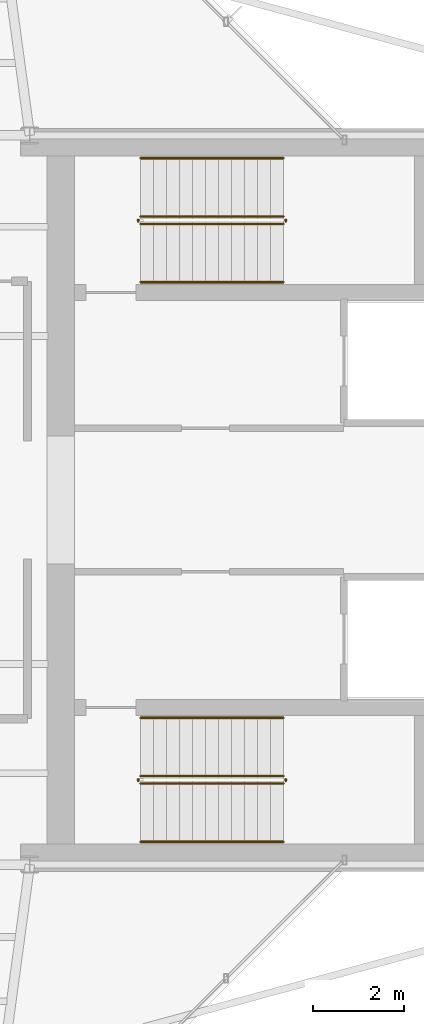
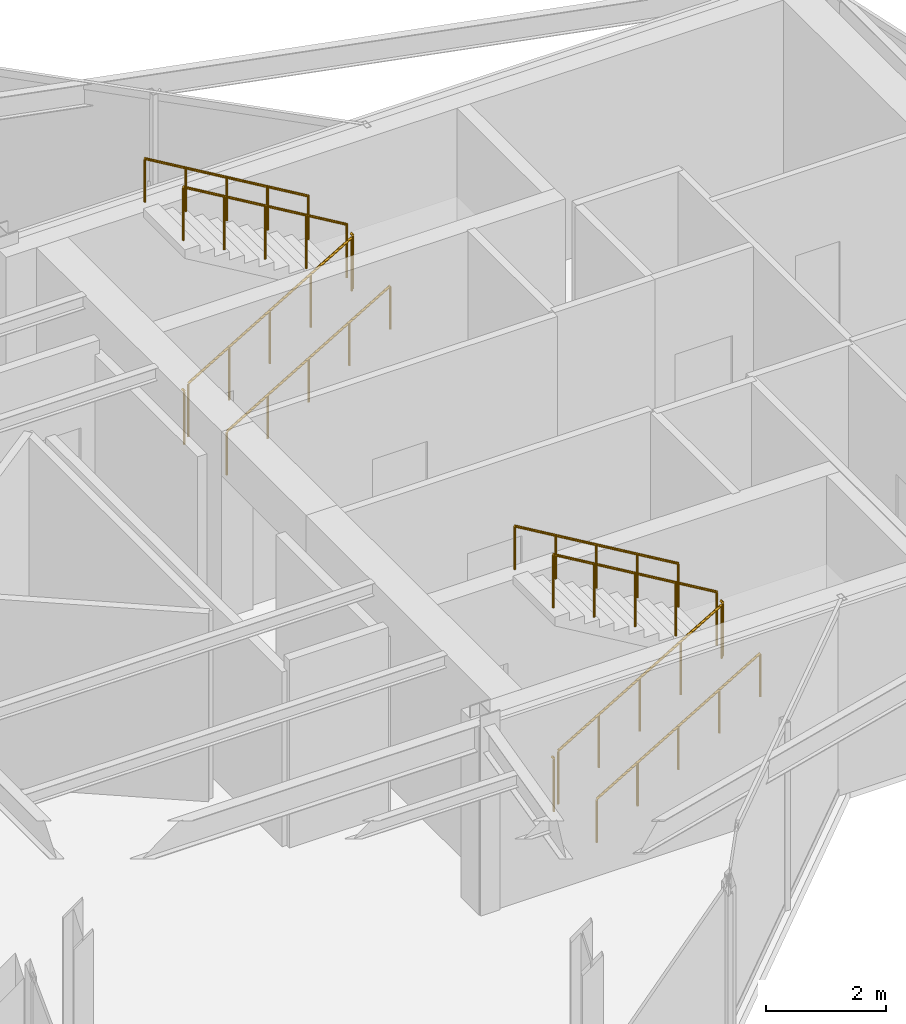
# One storey, part 13 of 13: 12 railings.
"""IFC4 building model written with IfcOpenShell, lengths in metres."""

from ifc_helpers import new_model, si_unit, direction, frame, origin, origin_2d, place, context, subcontext, project, spatial, circle, extrude, material, type_object, element, save


model = new_model("IFC4")

# Units and contexts
model_context = context("Model", 3, precision=1e-05, world=origin(), true_north=direction((0.0, 1.0)))
body_context = subcontext(model_context, "Body", "Model", "MODEL_VIEW")
ifc_project = project(units=[si_unit("LENGTHUNIT", "METRE"), si_unit("AREAUNIT", "SQUARE_METRE"), si_unit("VOLUMEUNIT", "CUBIC_METRE"), si_unit("PLANEANGLEUNIT", "RADIAN"), si_unit("MASSUNIT", "GRAM", prefix="KILO")], contexts=[model_context])

# Site, building, storey
site_placement = place(None, origin())
site = spatial("IfcSite", under=ifc_project, at=site_placement, CompositionType="ELEMENT")
building_placement = place(site_placement, origin())
building = spatial("IfcBuilding", under=site, at=building_placement, Name="Veymaron Broadcast Tower", CompositionType="ELEMENT")
storey_placement = place(building_placement, frame((0.0, 0.0, 307.35009765625)))
storey = spatial("IfcBuildingStorey", under=building, at=storey_placement, Name="L72", CompositionType="ELEMENT", Elevation=307.35009765625)

# Railings
ifc_material_1 = material(Name="Brushed stainless steel AISI 304", Category="steel")
railing_type_1 = type_object("IfcRailingType", Name="RAIL-STAIR-HR", PredefinedType="HANDRAIL", material=ifc_material_1)
railing_1_placement = place(storey_placement, frame((41.429931640625, 28.780029296875, 0.168701171875)))
element("IfcRailing", 1, at=railing_1_placement, inside=storey, type_object=railing_type_1, Name="L72 ST1 stair handrail 1", PredefinedType="HANDRAIL", context=body_context, shape_type="SweptSolid", body=[
    extrude(circle(Radius=0.02392578125, at=origin_2d()), frame((0.0, 0.0, 0.8759765625), z_axis=(0.860481960309, 0.0, 0.509480908359), x_axis=(0.0, 1.0, 0.0)), (0.0, 0.0, 1.0), 3.643310546875),
    extrude(circle(Radius=0.02099609375, at=origin_2d()), origin(), (0.0, 0.0, 1.0), 0.851806640625),
    extrude(circle(Radius=0.02099609375, at=origin_2d()), frame((0.78369140625, 0.0, 0.464111328125)), (0.0, 0.0, 1.0), 0.851806640625),
    extrude(circle(Radius=0.02099609375, at=origin_2d()), frame((1.5673828125, 0.0, 0.92822265625)), (0.0, 0.0, 1.0), 0.851806640625),
    extrude(circle(Radius=0.02099609375, at=origin_2d()), frame((2.351318359375, 0.0, 1.39208984375)), (0.0, 0.0, 1.0), 0.851806640625),
    extrude(circle(Radius=0.02099609375, at=origin_2d()), frame((3.135009765625, 0.0, 1.856201171875)), (0.0, 0.0, 1.0), 0.851806640625),
])
railing_2_placement = place(storey_placement, frame((44.56494140625, 31.5, 2.193603515625)))
element("IfcRailing", 2, at=railing_2_placement, inside=storey, type_object=railing_type_1, Name="L72 ST1 stair handrail 2", PredefinedType="HANDRAIL", context=body_context, shape_type="SweptSolid", body=[
    extrude(circle(Radius=0.02392578125, at=origin_2d()), frame((0.0, 0.0, 0.8759765625), z_axis=(-0.860481960309, 0.0, 0.509480908359), x_axis=(0.0, -1.0, 0.0)), (0.0, 0.0, 1.0), 3.643310546875),
    extrude(circle(Radius=0.02099609375, at=origin_2d()), origin(), (0.0, 0.0, 1.0), 0.851806640625),
    extrude(circle(Radius=0.02099609375, at=origin_2d()), frame((-0.78369140625, 0.0, 0.464111328125)), (0.0, 0.0, 1.0), 0.851806640625),
    extrude(circle(Radius=0.02099609375, at=origin_2d()), frame((-1.5673828125, 0.0, 0.92822265625)), (0.0, 0.0, 1.0), 0.851806640625),
    extrude(circle(Radius=0.02099609375, at=origin_2d()), frame((-2.351318359375, 0.0, 1.39208984375)), (0.0, 0.0, 1.0), 0.851806640625),
    extrude(circle(Radius=0.02099609375, at=origin_2d()), frame((-3.135009765625, 0.0, 1.856201171875)), (0.0, 0.0, 1.0), 0.851806640625),
])
railing_3_placement = place(storey_placement, frame((41.429931640625, 16.5, 0.168701171875)))
element("IfcRailing", 3, at=railing_3_placement, inside=storey, type_object=railing_type_1, Name="L72 ST2 stair handrail 1", PredefinedType="HANDRAIL", context=body_context, shape_type="SweptSolid", body=[
    extrude(circle(Radius=0.02392578125, at=origin_2d()), frame((0.0, 0.0, 0.8759765625), z_axis=(0.860481960309, 0.0, 0.509480908359), x_axis=(0.0, 1.0, 0.0)), (0.0, 0.0, 1.0), 3.643310546875),
    extrude(circle(Radius=0.02099609375, at=origin_2d()), origin(), (0.0, 0.0, 1.0), 0.851806640625),
    extrude(circle(Radius=0.02099609375, at=origin_2d()), frame((0.78369140625, 0.0, 0.464111328125)), (0.0, 0.0, 1.0), 0.851806640625),
    extrude(circle(Radius=0.02099609375, at=origin_2d()), frame((1.5673828125, 0.0, 0.92822265625)), (0.0, 0.0, 1.0), 0.851806640625),
    extrude(circle(Radius=0.02099609375, at=origin_2d()), frame((2.351318359375, 0.0, 1.39208984375)), (0.0, 0.0, 1.0), 0.851806640625),
    extrude(circle(Radius=0.02099609375, at=origin_2d()), frame((3.135009765625, 0.0, 1.856201171875)), (0.0, 0.0, 1.0), 0.851806640625),
])
railing_4_placement = place(storey_placement, frame((44.56494140625, 19.219970703125, 2.193603515625)))
element("IfcRailing", 4, at=railing_4_placement, inside=storey, type_object=railing_type_1, Name="L72 ST2 stair handrail 2", PredefinedType="HANDRAIL", context=body_context, shape_type="SweptSolid", body=[
    extrude(circle(Radius=0.02392578125, at=origin_2d()), frame((0.0, 0.0, 0.8759765625), z_axis=(-0.860481960309, 0.0, 0.509480908359), x_axis=(0.0, -1.0, 0.0)), (0.0, 0.0, 1.0), 3.643310546875),
    extrude(circle(Radius=0.02099609375, at=origin_2d()), origin(), (0.0, 0.0, 1.0), 0.851806640625),
    extrude(circle(Radius=0.02099609375, at=origin_2d()), frame((-0.78369140625, 0.0, 0.464111328125)), (0.0, 0.0, 1.0), 0.851806640625),
    extrude(circle(Radius=0.02099609375, at=origin_2d()), frame((-1.5673828125, 0.0, 0.92822265625)), (0.0, 0.0, 1.0), 0.851806640625),
    extrude(circle(Radius=0.02099609375, at=origin_2d()), frame((-2.351318359375, 0.0, 1.39208984375)), (0.0, 0.0, 1.0), 0.851806640625),
    extrude(circle(Radius=0.02099609375, at=origin_2d()), frame((-3.135009765625, 0.0, 1.856201171875)), (0.0, 0.0, 1.0), 0.851806640625),
])
ifc_material_2 = material(Name="Painted galvanized steel balustrade", Category="steel")
railing_type_2 = type_object("IfcRailingType", Name="RAIL-WELL-GRD", PredefinedType="GUARDRAIL", material=ifc_material_2)
railing_5_placement = place(storey_placement, frame((41.429931640625, 30.06005859375, 0.168701171875)))
element("IfcRailing", 5, at=railing_5_placement, inside=storey, type_object=railing_type_2, Name="L72 ST1 stair guard 1", PredefinedType="GUARDRAIL", context=body_context, shape_type="SweptSolid", body=[
    extrude(circle(Radius=0.02392578125, at=origin_2d()), frame((0.0, 0.0, 1.076171875), z_axis=(0.860481960309, 0.0, 0.509480908359), x_axis=(0.0, 1.0, 0.0)), (0.0, 0.0, 1.0), 3.643310546875),
    extrude(circle(Radius=0.02099609375, at=origin_2d()), origin(), (0.0, 0.0, 1.0), 1.052001953125),
    extrude(circle(Radius=0.02099609375, at=origin_2d()), frame((0.78369140625, 0.0, 0.464111328125)), (0.0, 0.0, 1.0), 1.052001953125),
    extrude(circle(Radius=0.02099609375, at=origin_2d()), frame((1.5673828125, 0.0, 0.92822265625)), (0.0, 0.0, 1.0), 1.052001953125),
    extrude(circle(Radius=0.02099609375, at=origin_2d()), frame((2.351318359375, 0.0, 1.39208984375)), (0.0, 0.0, 1.0), 1.052001953125),
    extrude(circle(Radius=0.02099609375, at=origin_2d()), frame((3.135009765625, 0.0, 1.856201171875)), (0.0, 0.0, 1.0), 1.052001953125),
])
railing_6_placement = place(storey_placement, frame((44.614990234375, 30.110107421875, 2.02490234375)))
element("IfcRailing", 6, at=railing_6_placement, inside=storey, type_object=railing_type_2, Name="L72 ST1 stair guard 2", PredefinedType="GUARDRAIL", context=body_context, shape_type="SweptSolid", body=[
    extrude(circle(Radius=0.02392578125, at=origin_2d()), frame((0.0, 0.0, 1.076171875), z_axis=(0.0, 1.0, 0.0), x_axis=(-1.0, 0.0, 0.0)), (0.0, 0.0, 1.0), 0.059814453125),
    extrude(circle(Radius=0.02099609375, at=origin_2d()), origin(), (0.0, 0.0, 1.0), 1.052001953125),
])
railing_7_placement = place(storey_placement, frame((44.56494140625, 30.219970703125, 2.193603515625)))
element("IfcRailing", 7, at=railing_7_placement, inside=storey, type_object=railing_type_2, Name="L72 ST1 stair guard 3", PredefinedType="GUARDRAIL", context=body_context, shape_type="SweptSolid", body=[
    extrude(circle(Radius=0.02392578125, at=origin_2d()), frame((0.0, 0.0, 1.076171875), z_axis=(-0.860481960309, 0.0, 0.509480908359), x_axis=(0.0, -1.0, 0.0)), (0.0, 0.0, 1.0), 3.643310546875),
    extrude(circle(Radius=0.02099609375, at=origin_2d()), origin(), (0.0, 0.0, 1.0), 1.052001953125),
    extrude(circle(Radius=0.02099609375, at=origin_2d()), frame((-0.78369140625, 0.0, 0.464111328125)), (0.0, 0.0, 1.0), 1.052001953125),
    extrude(circle(Radius=0.02099609375, at=origin_2d()), frame((-1.5673828125, 0.0, 0.92822265625)), (0.0, 0.0, 1.0), 1.052001953125),
    extrude(circle(Radius=0.02099609375, at=origin_2d()), frame((-2.351318359375, 0.0, 1.39208984375)), (0.0, 0.0, 1.0), 1.052001953125),
    extrude(circle(Radius=0.02099609375, at=origin_2d()), frame((-3.135009765625, 0.0, 1.856201171875)), (0.0, 0.0, 1.0), 1.052001953125),
])
railing_8_placement = place(storey_placement, frame((41.3798828125, 30.110107421875, 0.0)))
element("IfcRailing", 8, at=railing_8_placement, inside=storey, type_object=railing_type_2, Name="L72 ST1 stair guard 4", PredefinedType="GUARDRAIL", context=body_context, shape_type="SweptSolid", body=[
    extrude(circle(Radius=0.02392578125, at=origin_2d()), frame((0.0, 0.0, 1.076171875), z_axis=(0.0, 1.0, 0.0), x_axis=(-1.0, 0.0, 0.0)), (0.0, 0.0, 1.0), 0.059814453125),
    extrude(circle(Radius=0.02099609375, at=origin_2d()), origin(), (0.0, 0.0, 1.0), 1.052001953125),
])
railing_9_placement = place(storey_placement, frame((41.429931640625, 17.780029296875, 0.168701171875)))
element("IfcRailing", 9, at=railing_9_placement, inside=storey, type_object=railing_type_2, Name="L72 ST2 stair guard 1", PredefinedType="GUARDRAIL", context=body_context, shape_type="SweptSolid", body=[
    extrude(circle(Radius=0.02392578125, at=origin_2d()), frame((0.0, 0.0, 1.076171875), z_axis=(0.860481960309, 0.0, 0.509480908359), x_axis=(0.0, 1.0, 0.0)), (0.0, 0.0, 1.0), 3.643310546875),
    extrude(circle(Radius=0.02099609375, at=origin_2d()), origin(), (0.0, 0.0, 1.0), 1.052001953125),
    extrude(circle(Radius=0.02099609375, at=origin_2d()), frame((0.78369140625, 0.0, 0.464111328125)), (0.0, 0.0, 1.0), 1.052001953125),
    extrude(circle(Radius=0.02099609375, at=origin_2d()), frame((1.5673828125, 0.0, 0.92822265625)), (0.0, 0.0, 1.0), 1.052001953125),
    extrude(circle(Radius=0.02099609375, at=origin_2d()), frame((2.351318359375, 0.0, 1.39208984375)), (0.0, 0.0, 1.0), 1.052001953125),
    extrude(circle(Radius=0.02099609375, at=origin_2d()), frame((3.135009765625, 0.0, 1.856201171875)), (0.0, 0.0, 1.0), 1.052001953125),
])
railing_10_placement = place(storey_placement, frame((44.614990234375, 17.830078125, 2.02490234375)))
element("IfcRailing", 10, at=railing_10_placement, inside=storey, type_object=railing_type_2, Name="L72 ST2 stair guard 2", PredefinedType="GUARDRAIL", context=body_context, shape_type="SweptSolid", body=[
    extrude(circle(Radius=0.02392578125, at=origin_2d()), frame((0.0, 0.0, 1.076171875), z_axis=(0.0, 1.0, 0.0), x_axis=(-1.0, 0.0, 0.0)), (0.0, 0.0, 1.0), 0.059814453125),
    extrude(circle(Radius=0.02099609375, at=origin_2d()), origin(), (0.0, 0.0, 1.0), 1.052001953125),
])
railing_11_placement = place(storey_placement, frame((44.56494140625, 17.93994140625, 2.193603515625)))
element("IfcRailing", 11, at=railing_11_placement, inside=storey, type_object=railing_type_2, Name="L72 ST2 stair guard 3", PredefinedType="GUARDRAIL", context=body_context, shape_type="SweptSolid", body=[
    extrude(circle(Radius=0.02392578125, at=origin_2d()), frame((0.0, 0.0, 1.076171875), z_axis=(-0.860481960309, 0.0, 0.509480908359), x_axis=(0.0, -1.0, 0.0)), (0.0, 0.0, 1.0), 3.643310546875),
    extrude(circle(Radius=0.02099609375, at=origin_2d()), origin(), (0.0, 0.0, 1.0), 1.052001953125),
    extrude(circle(Radius=0.02099609375, at=origin_2d()), frame((-0.78369140625, 0.0, 0.464111328125)), (0.0, 0.0, 1.0), 1.052001953125),
    extrude(circle(Radius=0.02099609375, at=origin_2d()), frame((-1.5673828125, 0.0, 0.92822265625)), (0.0, 0.0, 1.0), 1.052001953125),
    extrude(circle(Radius=0.02099609375, at=origin_2d()), frame((-2.351318359375, 0.0, 1.39208984375)), (0.0, 0.0, 1.0), 1.052001953125),
    extrude(circle(Radius=0.02099609375, at=origin_2d()), frame((-3.135009765625, 0.0, 1.856201171875)), (0.0, 0.0, 1.0), 1.052001953125),
])
railing_12_placement = place(storey_placement, frame((41.3798828125, 17.830078125, 0.0)))
element("IfcRailing", 12, at=railing_12_placement, inside=storey, type_object=railing_type_2, Name="L72 ST2 stair guard 4", PredefinedType="GUARDRAIL", context=body_context, shape_type="SweptSolid", body=[
    extrude(circle(Radius=0.02392578125, at=origin_2d()), frame((0.0, 0.0, 1.076171875), z_axis=(0.0, 1.0, 0.0), x_axis=(-1.0, 0.0, 0.0)), (0.0, 0.0, 1.0), 0.059814453125),
    extrude(circle(Radius=0.02099609375, at=origin_2d()), origin(), (0.0, 0.0, 1.0), 1.052001953125),
])

save(model, "model.ifc")
